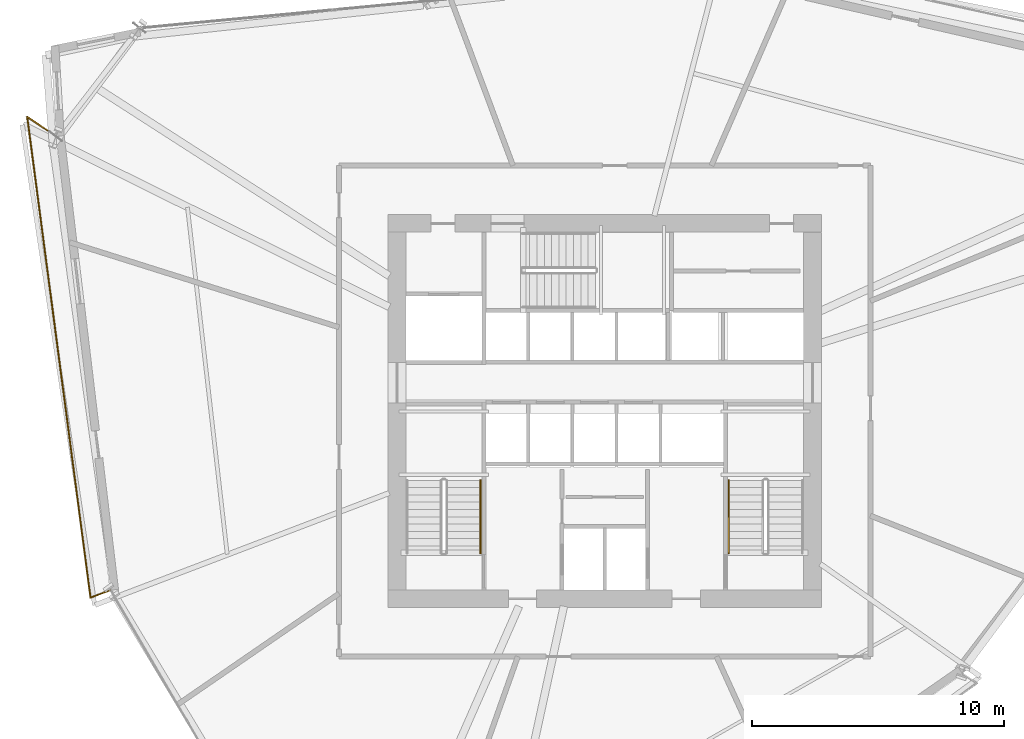
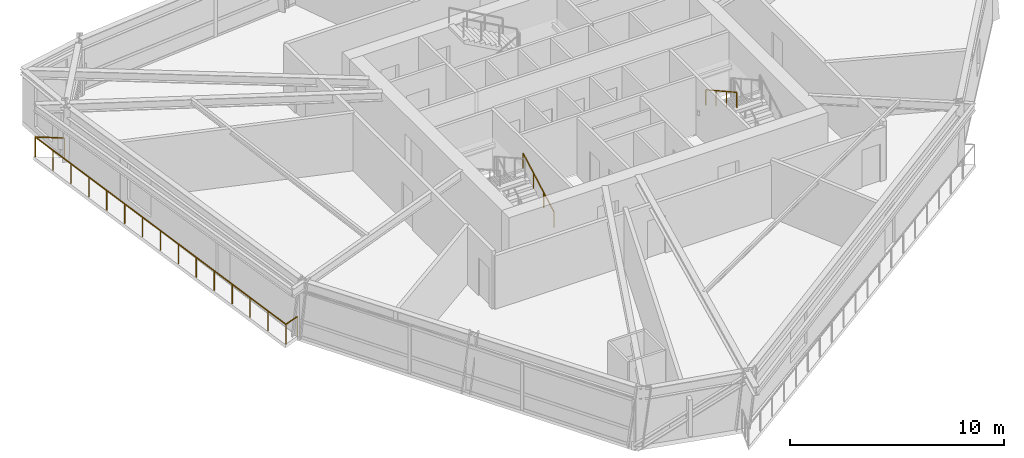
# One storey, part 15 of 17: 3 railings.
"""IFC4 building model written with IfcOpenShell, lengths in metres."""

from ifc_helpers import new_model, si_unit, direction, frame, origin, origin_2d, place, context, subcontext, project, spatial, rectangle, extrude, material, type_object, element, save


model = new_model("IFC4")

# Units and contexts
model_context = context("Model", 3, precision=1e-05, world=origin(), true_north=direction((0.0, 1.0)))
body_context = subcontext(model_context, "Body", "Model", "MODEL_VIEW")
ifc_project = project(units=[si_unit("LENGTHUNIT", "METRE"), si_unit("AREAUNIT", "SQUARE_METRE"), si_unit("VOLUMEUNIT", "CUBIC_METRE"), si_unit("PLANEANGLEUNIT", "RADIAN"), si_unit("MASSUNIT", "GRAM", prefix="KILO")], contexts=[model_context])

# Site, building, storey
site_placement = place(None, origin())
site = spatial("IfcSite", under=ifc_project, at=site_placement, CompositionType="ELEMENT")
building_placement = place(site_placement, origin())
building = spatial("IfcBuilding", under=site, at=building_placement, Name="Olszyna Solenne Hotel", CompositionType="ELEMENT")
storey_placement = place(building_placement, frame((0.0, 0.0, 116.35009765625)))
storey = spatial("IfcBuildingStorey", under=building, at=storey_placement, Name="L30", CompositionType="ELEMENT", Elevation=116.35009765625)

# Railings
ifc_material_1 = material(Name="Anodised bronze aluminium", Category="aluminium")
railing_type_1 = type_object("IfcRailingType", Name="GR-110", PredefinedType="BALUSTRADE", material=ifc_material_1)
railing_1_placement = place(storey_placement, frame((16.21435546875, 37.517578125, 0.0)))
element("IfcRailing", 1, at=railing_1_placement, inside=storey, type_object=railing_type_1, Name="Loggia balcony balustrade guard GR-L30-LG2", PredefinedType="BALUSTRADE", context=body_context, shape_type="SweptSolid", body=[
    extrude(rectangle(XDim=0.048095703125, YDim=0.048095703125, at=origin_2d()), frame((0.0, 0.0, 1.1259765625), z_axis=(-0.83262170775, 0.553842118102, 0.0), x_axis=(-0.553842118102, -0.83262170775, 0.0)), (0.0, 0.0, 1.0), 1.37939453125),
    extrude(rectangle(XDim=0.048095703125, YDim=0.048095703125, at=origin_2d()), frame((-1.1484375, 0.763916015625, 1.1259765625), z_axis=(0.130557180644, -0.991440781178, 0.0), x_axis=(0.991440781178, 0.130557180644, 0.0)), (0.0, 0.0, 1.0), 19.25341796875),
    extrude(rectangle(XDim=0.048095703125, YDim=0.048095703125, at=origin_2d()), frame((1.365234375, -18.32470703125, 1.1259765625), z_axis=(0.938446539558, 0.345424510409, 0.0), x_axis=(-0.345424510409, 0.938446539558, 0.0)), (0.0, 0.0, 1.0), 0.845947265625),
    extrude(rectangle(XDim=0.0419921875, YDim=0.0419921875, at=origin_2d()), origin(), (0.0, 0.0, 1.0), 1.101806640625),
    extrude(rectangle(XDim=0.0419921875, YDim=0.0419921875, at=origin_2d()), frame((-1.1484375, 0.763916015625, 0.0)), (0.0, 0.0, 1.0), 1.101806640625),
    extrude(rectangle(XDim=0.0419921875, YDim=0.0419921875, at=origin_2d()), frame((-0.968994140625, -0.599609375, 0.0)), (0.0, 0.0, 1.0), 1.101806640625),
    extrude(rectangle(XDim=0.0419921875, YDim=0.0419921875, at=origin_2d()), frame((-0.789306640625, -1.963134765625, 0.0)), (0.0, 0.0, 1.0), 1.101806640625),
    extrude(rectangle(XDim=0.0419921875, YDim=0.0419921875, at=origin_2d()), frame((-0.60986328125, -3.326416015625, 0.0)), (0.0, 0.0, 1.0), 1.101806640625),
    extrude(rectangle(XDim=0.0419921875, YDim=0.0419921875, at=origin_2d()), frame((-0.43017578125, -4.68994140625, 0.0)), (0.0, 0.0, 1.0), 1.101806640625),
    extrude(rectangle(XDim=0.0419921875, YDim=0.0419921875, at=origin_2d()), frame((-0.250732421875, -6.053466796875, 0.0)), (0.0, 0.0, 1.0), 1.101806640625),
    extrude(rectangle(XDim=0.0419921875, YDim=0.0419921875, at=origin_2d()), frame((-0.071044921875, -7.4169921875, 0.0)), (0.0, 0.0, 1.0), 1.101806640625),
    extrude(rectangle(XDim=0.0419921875, YDim=0.0419921875, at=origin_2d()), frame((0.1083984375, -8.7802734375, 0.0)), (0.0, 0.0, 1.0), 1.101806640625),
    extrude(rectangle(XDim=0.0419921875, YDim=0.0419921875, at=origin_2d()), frame((0.287841796875, -10.143798828125, 0.0)), (0.0, 0.0, 1.0), 1.101806640625),
    extrude(rectangle(XDim=0.0419921875, YDim=0.0419921875, at=origin_2d()), frame((0.467529296875, -11.50732421875, 0.0)), (0.0, 0.0, 1.0), 1.101806640625),
    extrude(rectangle(XDim=0.0419921875, YDim=0.0419921875, at=origin_2d()), frame((0.64697265625, -12.870849609375, 0.0)), (0.0, 0.0, 1.0), 1.101806640625),
    extrude(rectangle(XDim=0.0419921875, YDim=0.0419921875, at=origin_2d()), frame((0.82666015625, -14.234375, 0.0)), (0.0, 0.0, 1.0), 1.101806640625),
    extrude(rectangle(XDim=0.0419921875, YDim=0.0419921875, at=origin_2d()), frame((1.006103515625, -15.59765625, 0.0)), (0.0, 0.0, 1.0), 1.101806640625),
    extrude(rectangle(XDim=0.0419921875, YDim=0.0419921875, at=origin_2d()), frame((1.185791015625, -16.961181640625, 0.0)), (0.0, 0.0, 1.0), 1.101806640625),
    extrude(rectangle(XDim=0.0419921875, YDim=0.0419921875, at=origin_2d()), frame((1.365234375, -18.32470703125, 0.0)), (0.0, 0.0, 1.0), 1.101806640625),
    extrude(rectangle(XDim=0.0419921875, YDim=0.0419921875, at=origin_2d()), frame((2.1591796875, -18.032470703125, 0.0)), (0.0, 0.0, 1.0), 1.101806640625),
])
ifc_material_2 = material(Name="Steel S355J2", Category="steel")
railing_type_2 = type_object("IfcRailingType", Name="HR-090", PredefinedType="HANDRAIL", material=ifc_material_2)
railing_2_placement = place(storey_placement, frame((33.070068359375, 20.949951171875, 0.161376953125)))
element("IfcRailing", 2, at=railing_2_placement, inside=storey, type_object=railing_type_2, Name="L30 ST1 stair handrail 1", PredefinedType="HANDRAIL", context=body_context, shape_type="SweptSolid", body=[
    extrude(rectangle(XDim=0.048095703125, YDim=0.048095703125, at=origin_2d()), frame((0.0, 0.0, 0.8759765625), z_axis=(0.0, 0.873858693841, 0.486179990537), x_axis=(-1.0, 0.0, 0.0)), (0.0, 0.0, 1.0), 3.31884765625),
    extrude(rectangle(XDim=0.0419921875, YDim=0.0419921875, at=origin_2d()), origin(), (0.0, 0.0, 1.0), 0.851806640625),
    extrude(rectangle(XDim=0.0419921875, YDim=0.0419921875, at=origin_2d()), frame((0.0, 0.966796875, 0.537841796875)), (0.0, 0.0, 1.0), 0.851806640625),
    extrude(rectangle(XDim=0.0419921875, YDim=0.0419921875, at=origin_2d()), frame((0.0, 1.933349609375, 1.07568359375)), (0.0, 0.0, 1.0), 0.851806640625),
    extrude(rectangle(XDim=0.0419921875, YDim=0.0419921875, at=origin_2d()), frame((0.0, 2.900146484375, 1.613525390625)), (0.0, 0.0, 1.0), 0.851806640625),
])
railing_3_placement = place(storey_placement, frame((42.929931640625, 23.85009765625, 1.936279296875)))
element("IfcRailing", 3, at=railing_3_placement, inside=storey, type_object=railing_type_2, Name="L30 ST2 stair handrail 2", PredefinedType="HANDRAIL", context=body_context, shape_type="SweptSolid", body=[
    extrude(rectangle(XDim=0.048095703125, YDim=0.048095703125, at=origin_2d()), frame((0.0, 0.0, 0.8759765625), z_axis=(0.0, -0.873858693841, 0.486179990537), x_axis=(1.0, 0.0, 0.0)), (0.0, 0.0, 1.0), 3.31884765625),
    extrude(rectangle(XDim=0.0419921875, YDim=0.0419921875, at=origin_2d()), origin(), (0.0, 0.0, 1.0), 0.851806640625),
    extrude(rectangle(XDim=0.0419921875, YDim=0.0419921875, at=origin_2d()), frame((0.0, -0.966796875, 0.537841796875)), (0.0, 0.0, 1.0), 0.851806640625),
    extrude(rectangle(XDim=0.0419921875, YDim=0.0419921875, at=origin_2d()), frame((0.0, -1.933349609375, 1.07568359375)), (0.0, 0.0, 1.0), 0.851806640625),
    extrude(rectangle(XDim=0.0419921875, YDim=0.0419921875, at=origin_2d()), frame((0.0, -2.900146484375, 1.613525390625)), (0.0, 0.0, 1.0), 0.851806640625),
])

save(model, "model.ifc")
